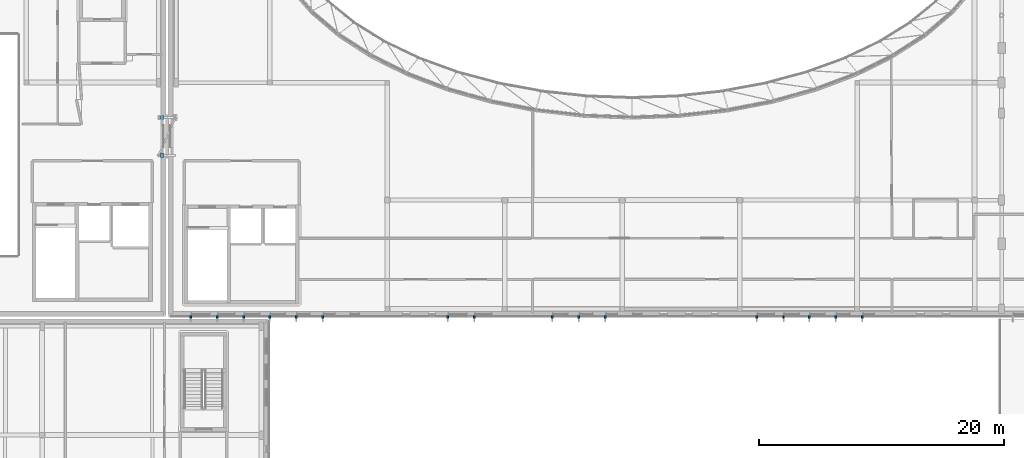
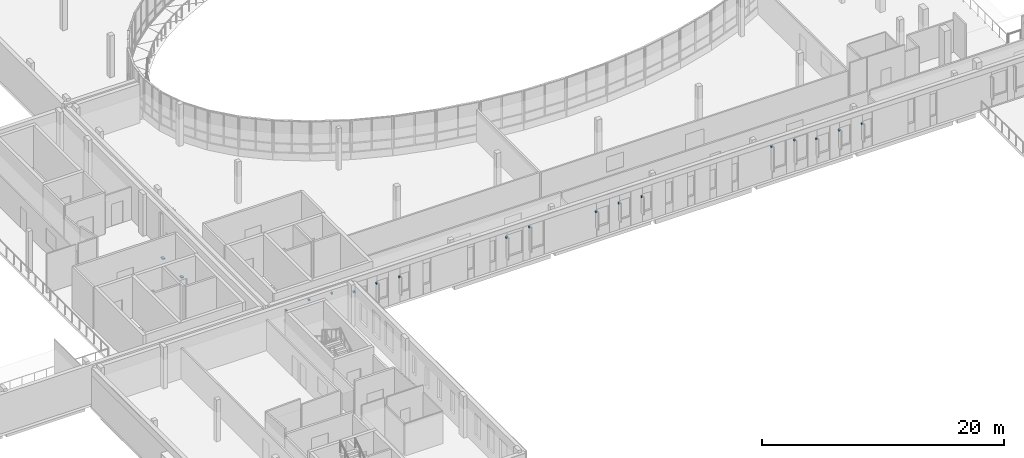
# One storey, part 50 of 73: 18 discrete accessories.
"""IFC4 building model written with IfcOpenShell, lengths in metres."""

from ifc_helpers import new_model, si_unit, direction, frame, origin, origin_2d, place, context, subcontext, project, spatial, rectangle, extrude, material, type_object, element, save


model = new_model("IFC4")

# Units and contexts
model_context = context("Model", 3, precision=1e-05, world=origin(), true_north=direction((0.0, 1.0)))
body_context = subcontext(model_context, "Body", "Model", "MODEL_VIEW")
ifc_project = project(units=[si_unit("LENGTHUNIT", "METRE"), si_unit("AREAUNIT", "SQUARE_METRE"), si_unit("VOLUMEUNIT", "CUBIC_METRE"), si_unit("PLANEANGLEUNIT", "RADIAN"), si_unit("MASSUNIT", "GRAM", prefix="KILO")], contexts=[model_context])

# Site, building, storey
site_placement = place(None, origin())
site = spatial("IfcSite", under=ifc_project, at=site_placement, CompositionType="ELEMENT")
building_placement = place(site_placement, origin())
building = spatial("IfcBuilding", under=site, at=building_placement, Name="Mzevani Central Library", CompositionType="ELEMENT")
storey_placement = place(building_placement, frame((0.0, 0.0, 9.60009765625)))
storey = spatial("IfcBuildingStorey", under=building, at=storey_placement, Name="L02", CompositionType="ELEMENT", Elevation=9.60009765625)

# Discrete accessories
ifc_material_1 = material(Name="PTFE elastomer and Steel S355J2", Category="steel")
discrete_accessory_type_1 = type_object("IfcDiscreteAccessoryType", Name="PTFE Bidirectional Seismic Sliding Bearing", PredefinedType="USERDEFINED", material=ifc_material_1)
for number, where, z_axis, x_axis, name in (
    (1, (45.60009765625, 55.64990234375, -0.865234375), (0.0, 0.0, 1.0), (1.0, 0.0, 0.0), "West Reading Seismic Passage L02 PTFE Sliding Bearing 1"),
    (2, (45.60009765625, 58.75, -0.865234375), (0.0, 0.0, 1.0), (1.0, 0.0, 0.0), "West Reading Seismic Passage L02 PTFE Sliding Bearing 2"),
):
    element("IfcDiscreteAccessory", number, at=place(storey_placement, frame(where, z_axis=z_axis, x_axis=x_axis)), inside=storey, type_object=discrete_accessory_type_1, Name=name, ObjectType="PTFE SLIDING BEARING", PredefinedType="USERDEFINED", context=body_context, shape_type="SweptSolid", body=[
        extrude(rectangle(XDim=0.25, YDim=0.360107421875, at=origin_2d()), origin(), (0.0, 0.0, 1.0), 0.090087890625),
    ])
ifc_material_2 = material(Name="Steel S355J2", Category="steel")
discrete_accessory_type_2 = type_object("IfcDiscreteAccessoryType", Name="Stainless Facade Support Bracket", PredefinedType="BRACKET", material=ifc_material_2)
for number, where, z_axis, x_axis, name in (
    (3, (102.830078125, 42.43994140625, 2.52001953125), (0.0, 0.0, 1.0), (-1.0, 0.0, 0.0), "L02 V1 Fin Support Bracket (95)"),
    (4, (100.655029296875, 42.43994140625, 2.6201171875), (0.0, 0.0, 1.0), (-1.0, 0.0, 0.0), "L02 V1 Fin Support Bracket (96)"),
    (5, (98.47998046875, 42.43994140625, 2.52001953125), (0.0, 0.0, 1.0), (-1.0, 0.0, 0.0), "L02 V1 Fin Support Bracket (97)"),
    (6, (96.3798828125, 42.43994140625, 3.1201171875), (0.0, 0.0, 1.0), (-1.0, 0.0, 0.0), "L02 V1 Fin Support Bracket (98)"),
    (7, (94.205078125, 42.43994140625, 3.2197265625), (0.0, 0.0, 1.0), (-1.0, 0.0, 0.0), "L02 V1 Fin Support Bracket (99)"),
    (8, (81.830078125, 42.43994140625, 2.52001953125), (0.0, 0.0, 1.0), (-1.0, 0.0, 0.0), "L02 V1 Fin Support Bracket (104)"),
    (9, (79.655029296875, 42.43994140625, 2.6201171875), (0.0, 0.0, 1.0), (-1.0, 0.0, 0.0), "L02 V1 Fin Support Bracket (105)"),
    (10, (77.47998046875, 42.43994140625, 2.52001953125), (0.0, 0.0, 1.0), (-1.0, 0.0, 0.0), "L02 V1 Fin Support Bracket (106)"),
    (11, (71.10498046875, 42.43994140625, 3.2197265625), (0.0, 0.0, 1.0), (-1.0, 0.0, 0.0), "L02 V1 Fin Support Bracket (107)"),
    (12, (68.929931640625, 42.43994140625, 2.919921875), (0.0, 0.0, 1.0), (-1.0, 0.0, 0.0), "L02 V1 Fin Support Bracket (108)"),
    (13, (58.72998046875, 42.43994140625, 2.52001953125), (0.0, 0.0, 1.0), (-1.0, 0.0, 0.0), "L02 V1 Fin Support Bracket (112)"),
    (14, (56.554931640625, 42.43994140625, 2.6201171875), (0.0, 0.0, 1.0), (-1.0, 0.0, 0.0), "L02 V1 Fin Support Bracket (113)"),
    (15, (54.3798828125, 42.43994140625, 2.52001953125), (0.0, 0.0, 1.0), (-1.0, 0.0, 0.0), "L02 V1 Fin Support Bracket (114)"),
    (16, (52.280029296875, 42.43994140625, 3.1201171875), (0.0, 0.0, 1.0), (-1.0, 0.0, 0.0), "L02 V1 Fin Support Bracket (115)"),
    (17, (50.10498046875, 42.43994140625, 3.2197265625), (0.0, 0.0, 1.0), (-1.0, 0.0, 0.0), "L02 V1 Fin Support Bracket (116)"),
    (18, (47.929931640625, 42.43994140625, 2.919921875), (0.0, 0.0, 1.0), (-1.0, 0.0, 0.0), "L02 V1 Fin Support Bracket (117)"),
):
    element("IfcDiscreteAccessory", number, at=place(storey_placement, frame(where, z_axis=z_axis, x_axis=x_axis)), inside=storey, type_object=discrete_accessory_type_2, Name=name, PredefinedType="BRACKET", context=body_context, shape_type="SweptSolid", body=[
        extrude(rectangle(XDim=0.159912109375, YDim=0.199951171875, at=origin_2d()), origin(), (0.0, 0.0, 1.0), 0.159912109375),
    ])

save(model, "model.ifc")
